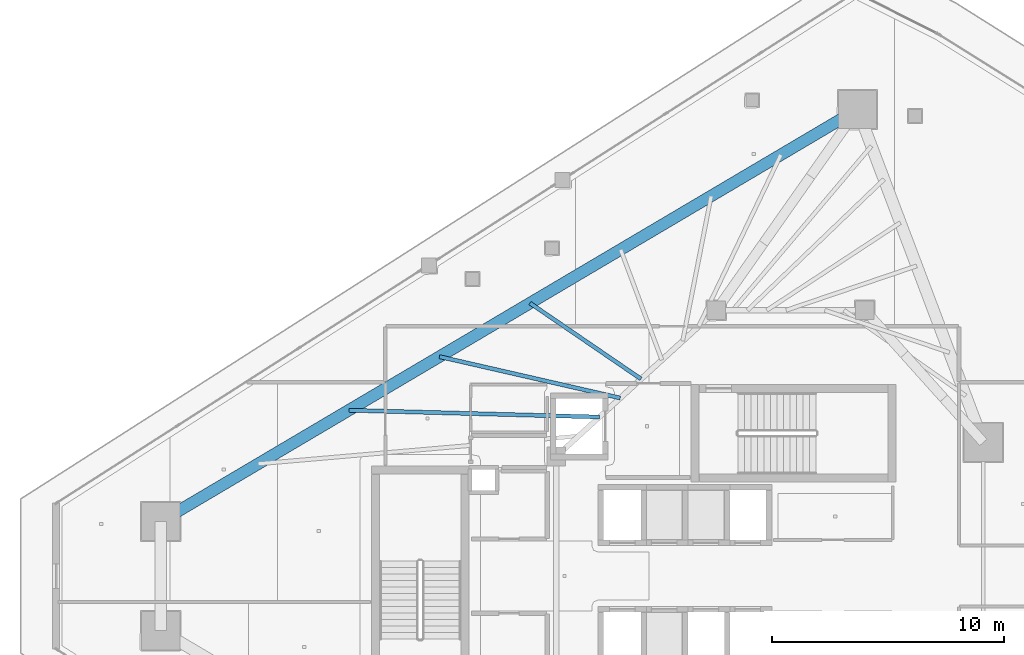
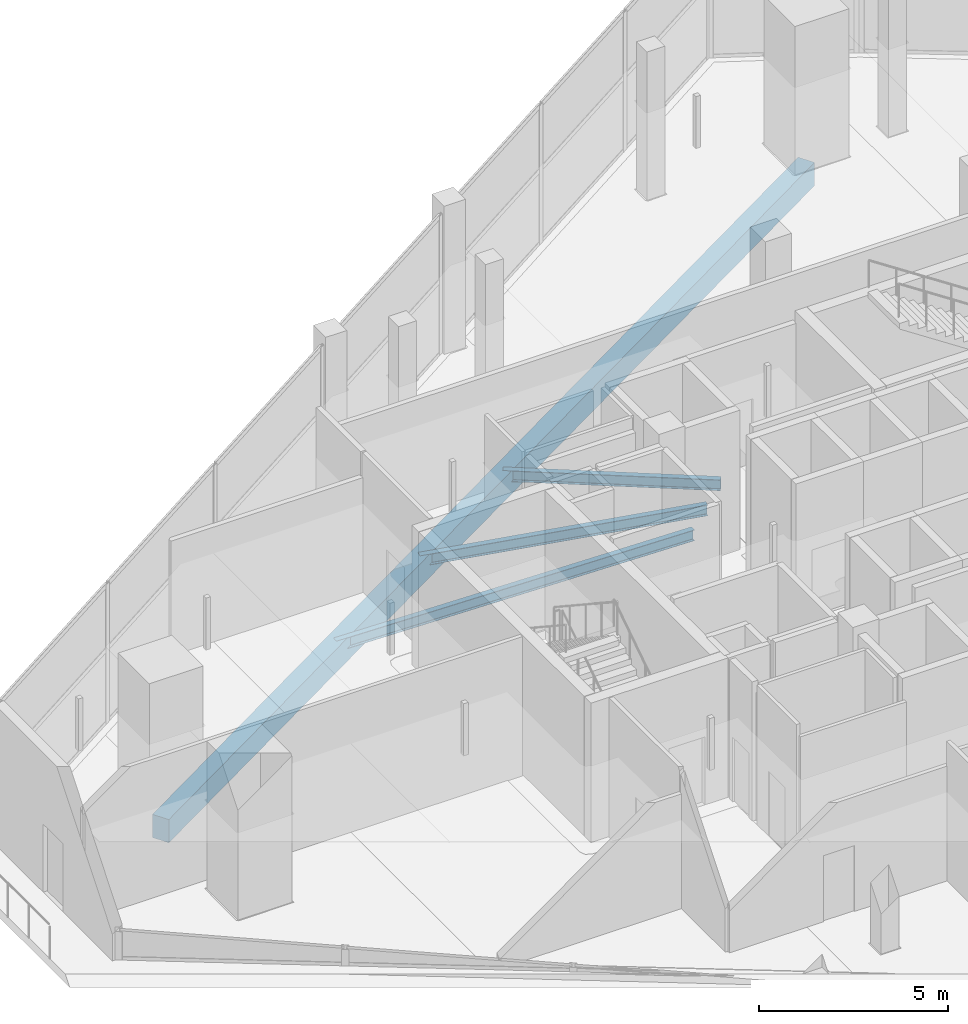
# One storey, part 15 of 36: 4 beams.
"""IFC4 building model written with IfcOpenShell, lengths in metres."""

from ifc_helpers import new_model, si_unit, direction, frame, origin, origin_2d, place, context, subcontext, project, spatial, rectangle, i_section, extrude, material, material_profile, profile_set, type_object, element, save


model = new_model("IFC4")

# Units and contexts
model_context = context("Model", 3, precision=1e-05, world=origin(), true_north=direction((0.0, 1.0)))
body_context = subcontext(model_context, "Body", "Model", "MODEL_VIEW")
ifc_project = project(units=[si_unit("LENGTHUNIT", "METRE"), si_unit("AREAUNIT", "SQUARE_METRE"), si_unit("VOLUMEUNIT", "CUBIC_METRE"), si_unit("PLANEANGLEUNIT", "RADIAN"), si_unit("MASSUNIT", "GRAM", prefix="KILO")], contexts=[model_context])

# Site, building, storey
site_placement = place(None, origin())
site = spatial("IfcSite", under=ifc_project, at=site_placement, CompositionType="ELEMENT")
building_placement = place(site_placement, origin())
building = spatial("IfcBuilding", under=site, at=building_placement, Name="Qorvath Tower", CompositionType="ELEMENT")
storey_placement = place(building_placement, frame((0.0, 0.0, 255.0)))
storey = spatial("IfcBuildingStorey", under=building, at=storey_placement, Name="L59", CompositionType="ELEMENT", Elevation=255.0)

# Beams
ifc_material_1 = material(Name="Steel ASTM A992 Grade 50", Category="steel")
ifc_material_profile_1 = material_profile(ifc_material_1, i_section(OverallWidth=0.1708984375, OverallDepth=0.35107421875, WebThickness=0.0068359375, FlangeThickness=0.009765625, FilletRadius=0.010009765625, at=origin_2d()), Name="W14x30")
ifc_profile_set_1 = profile_set([ifc_material_profile_1], Name="Steel ASTM A992 Grade 50")
beam_type_1 = type_object("IfcBeamType", Name="BM-FJ4", PredefinedType="JOIST", material=ifc_profile_set_1)
beam_1_placement = place(storey_placement, frame((-28.636962890625, 6.85107421875, -0.4755859375), z_axis=(-0.999635580213, 0.026994569327, 0.0), x_axis=(-0.026994569327, -0.999635580213, 0.0)))
element("IfcBeam", 1, at=beam_1_placement, inside=storey, type_object=beam_type_1, Name="Composite Floor Joist NW2 L59", PredefinedType="JOIST", context=body_context, shape_type="SweptSolid", body=[
    extrude(i_section(OverallWidth=0.1708984375, OverallDepth=0.35107421875, WebThickness=0.0068359375, FlangeThickness=0.009765625, FilletRadius=0.010009765625, at=origin_2d()), origin(), (0.0, 0.0, 1.0), 10.798583984375),
])
beam_2_placement = place(storey_placement, frame((-27.739990234375, 7.669921875, -0.4755859375), z_axis=(-0.974852627195, 0.222850522212, 0.0), x_axis=(-0.222850522212, -0.974852627195, 0.0)))
element("IfcBeam", 2, at=beam_2_placement, inside=storey, type_object=beam_type_1, Name="Composite Floor Joist NW3 L59", PredefinedType="JOIST", context=body_context, shape_type="SweptSolid", body=[
    extrude(i_section(OverallWidth=0.1708984375, OverallDepth=0.35107421875, WebThickness=0.0068359375, FlangeThickness=0.009765625, FilletRadius=0.010009765625, at=origin_2d()), origin(), (0.0, 0.0, 1.0), 7.98974609375),
])
beam_3_placement = place(storey_placement, frame((-26.843017578125, 8.489013671875, -0.4755859375), z_axis=(-0.82557592702, 0.564291049658, 0.0), x_axis=(-0.564291049658, -0.82557592702, 0.0)))
element("IfcBeam", 3, at=beam_3_placement, inside=storey, type_object=beam_type_1, Name="Composite Floor Joist NW4 L59", PredefinedType="JOIST", context=body_context, shape_type="SweptSolid", body=[
    extrude(i_section(OverallWidth=0.1708984375, OverallDepth=0.35107421875, WebThickness=0.0068359375, FlangeThickness=0.009765625, FilletRadius=0.010009765625, at=origin_2d()), origin(), (0.0, 0.0, 1.0), 5.793212890625),
])
ifc_material_2 = material(Name="Concrete C45/55", Category="concrete")
ifc_material_profile_2 = material_profile(ifc_material_2, rectangle(XDim=0.5, YDim=0.75, at=origin_2d()), Name="RCB 750x500")
ifc_profile_set_2 = profile_set([ifc_material_profile_2], Name="Concrete C45/55")
beam_type_2 = type_object("IfcBeamType", Name="BM-RCB3", PredefinedType="SPANDREL", material=ifc_profile_set_2)
beam_4_placement = place(storey_placement, frame((-17.515380859375, 20.1015625, -0.675048828125), z_axis=(-0.860781425392, -0.50897479083, 0.0), x_axis=(0.50897479083, -0.860781425392, 0.0)))
element("IfcBeam", 4, at=beam_4_placement, inside=storey, type_object=beam_type_2, Name="Perimeter Loggia Frame Beam MC6-MC1 L59", PredefinedType="SPANDREL", context=body_context, shape_type="SweptSolid", body=[
    extrude(rectangle(XDim=0.5, YDim=0.75, at=origin_2d()), origin(), (0.0, 0.0, 1.0), 34.8779296875),
])

save(model, "model.ifc")
